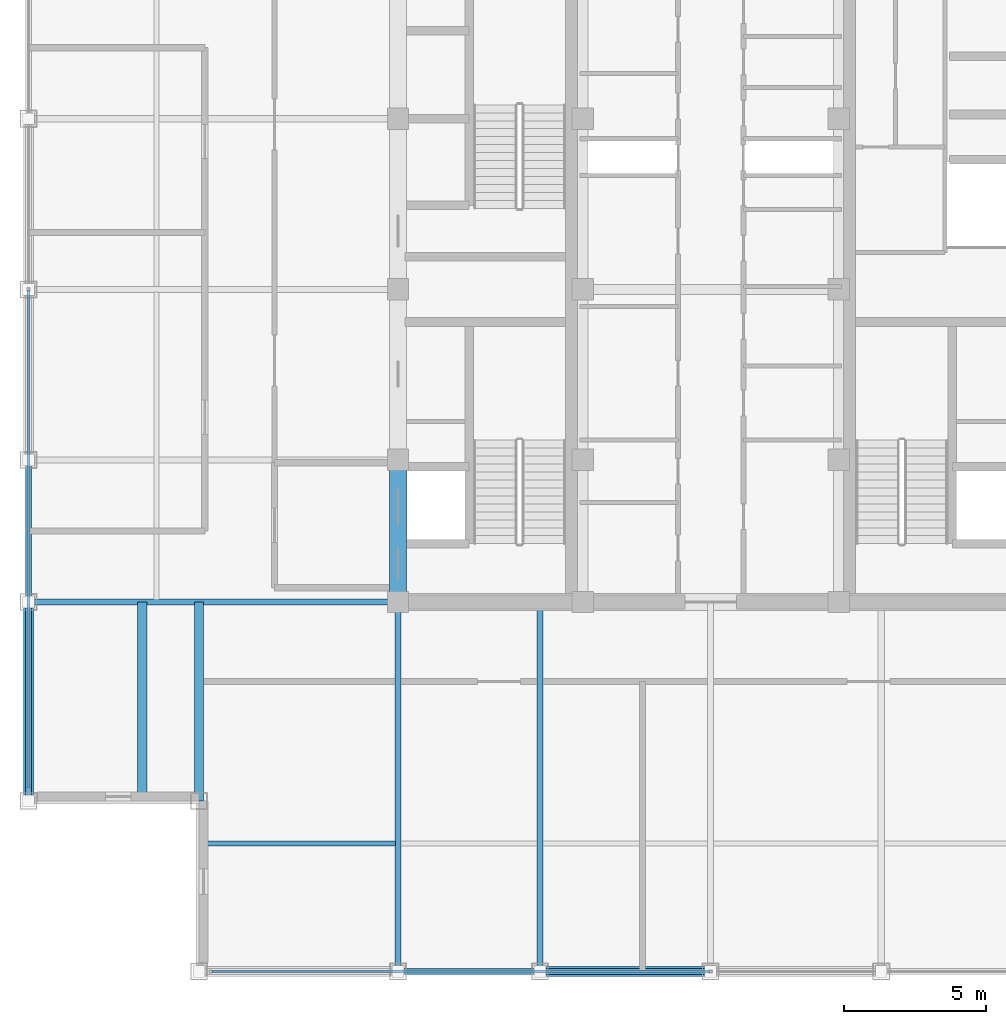
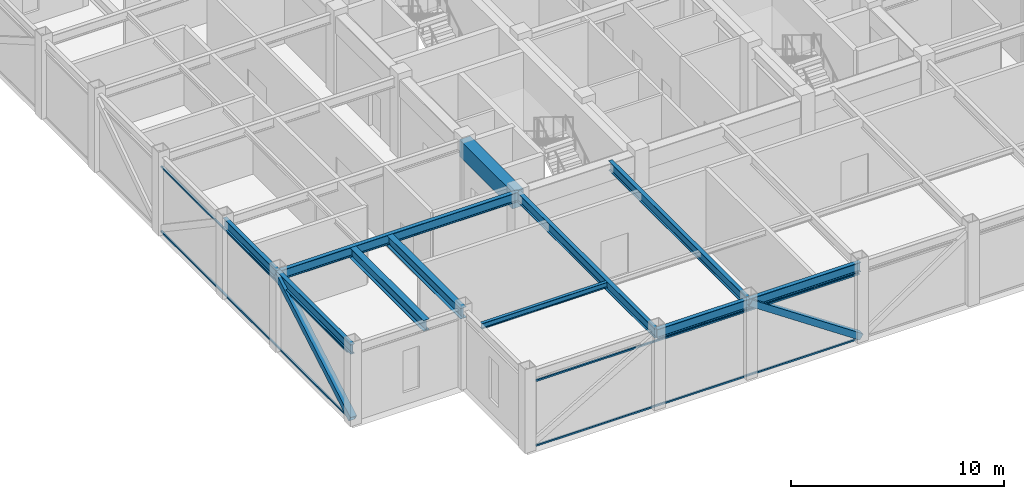
# One storey, part 3 of 27: 11 beams, 6 members, 2 elements without a shape of their own.
"""IFC4 building model written with IfcOpenShell, lengths in metres."""

from ifc_helpers import new_model, si_unit, direction, frame, origin, origin_2d, place, context, subcontext, project, spatial, rectangle, hollow_rectangle, i_section, extrude, source, transform, mapped, material, material_profile, profile_set, type_object, element, aggregate, save


model = new_model("IFC4")

# Units and contexts
model_context = context("Model", 3, precision=1e-05, world=origin(), true_north=direction((0.0, 1.0)))
body_context = subcontext(model_context, "Body", "Model", "MODEL_VIEW")
ifc_project = project(units=[si_unit("LENGTHUNIT", "METRE"), si_unit("AREAUNIT", "SQUARE_METRE"), si_unit("VOLUMEUNIT", "CUBIC_METRE"), si_unit("PLANEANGLEUNIT", "RADIAN"), si_unit("MASSUNIT", "GRAM", prefix="KILO")], contexts=[model_context])

# Site, building, storey
site_placement = place(None, origin())
site = spatial("IfcSite", under=ifc_project, at=site_placement, CompositionType="ELEMENT")
building_placement = place(site_placement, origin())
building = spatial("IfcBuilding", under=site, at=building_placement, Name="Khorayat Bourse Tower", CompositionType="ELEMENT")
storey_placement = place(building_placement, frame((0.0, 0.0, 380.300048828125)))
storey = spatial("IfcBuildingStorey", under=building, at=storey_placement, Name="L90", CompositionType="ELEMENT", Elevation=380.300048828125)

# Beams
ifc_material_1 = material(Name="Concrete C60/75", Category="concrete")
ifc_material_profile_1 = material_profile(ifc_material_1, rectangle(XDim=0.60009765625, YDim=0.949951171875, at=origin_2d()), Name="RC 600x950")
ifc_profile_set_1 = profile_set([ifc_material_profile_1], Name="Concrete C60/75")
beam_type_1 = type_object("IfcBeamType", Name="BM-COUP-950", PredefinedType="BEAM", material=ifc_profile_set_1)
shared_shape_1 = source(origin(), body_context, "Body", "SweptSolid", [
    extrude(rectangle(XDim=0.60009765625, YDim=0.949951171875, at=origin_2d()), origin(), (0.0, 0.0, 1.0), 5.0),
])
beam_1_placement = place(storey_placement, frame((-11.0, -11.0, 3.974853515625), z_axis=(0.0, 1.0, 0.0), x_axis=(-1.0, 0.0, 0.0)))
element("IfcBeam", 1, at=beam_1_placement, inside=storey, type_object=beam_type_1, Name="L90 BM-COUP-950 BM-L90-CRX-01", PredefinedType="BEAM", context=body_context, shape_type="MappedRepresentation", body=[
    mapped(shared_shape_1, transform((0.0, 0.0, 0.0), scale=1.0)),
])
ifc_material_2 = material(Name="Steel ASTM A992 Grade 50", Category="steel")
ifc_material_profile_2 = material_profile(ifc_material_2, i_section(OverallWidth=0.214111328125, OverallDepth=0.549072265625, WebThickness=0.0146484375, FlangeThickness=0.023681640625, FilletRadius=0.013916015625, at=origin_2d()), Name="W530X138")
ifc_profile_set_2 = profile_set([ifc_material_profile_2], Name="Steel ASTM A992 Grade 50")
beam_type_2 = type_object("IfcBeamType", Name="BM-SPAN-530", PredefinedType="SPANDREL", material=ifc_profile_set_2)
shared_shape_2 = source(origin(), body_context, "Body", "SweptSolid", [
    extrude(i_section(OverallWidth=0.214111328125, OverallDepth=0.549072265625, WebThickness=0.0146484375, FlangeThickness=0.023681640625, FilletRadius=0.013916015625, at=origin_2d()), origin(), (0.0, 0.0, 1.0), 5.0),
])
for number, where, z_axis, x_axis, name in (
    (2, (-11.0, -24.0, 4.175537109375), (1.0, 0.0, 0.0), (0.0, 1.0, 0.0), "L90 BM-SPAN-530 BM-L90-SPN-025"),
    (3, (-24.0, -11.0, 4.175537109375), (0.0, 1.0, 0.0), (-1.0, 0.0, 0.0), "L90 BM-SPAN-530 BM-L90-SPN-052"),
):
    element("IfcBeam", number, at=place(storey_placement, frame(where, z_axis=z_axis, x_axis=x_axis)), inside=storey, type_object=beam_type_2, Name=name, PredefinedType="SPANDREL", context=body_context, shape_type="MappedRepresentation", body=[
        mapped(shared_shape_2, transform((0.0, 0.0, 0.0), scale=1.0)),
    ])
shared_shape_3 = source(origin(), body_context, "Body", "SweptSolid", [
    extrude(i_section(OverallWidth=0.214111328125, OverallDepth=0.549072265625, WebThickness=0.0146484375, FlangeThickness=0.023681640625, FilletRadius=0.013916015625, at=origin_2d()), origin(), (0.0, 0.0, 1.0), 6.0),
])
beam_2_placement = place(storey_placement, frame((-6.0, -24.0, 4.175537109375), z_axis=(1.0, 0.0, 0.0), x_axis=(0.0, 1.0, 0.0)))
element("IfcBeam", 4, at=beam_2_placement, inside=storey, type_object=beam_type_2, Name="L90 BM-SPAN-530 BM-L90-SPN-026", PredefinedType="SPANDREL", context=body_context, shape_type="MappedRepresentation", body=[
    mapped(shared_shape_3, transform((0.0, 0.0, 0.0), scale=1.0)),
])
shared_shape_4 = source(origin(), body_context, "Body", "SweptSolid", [
    extrude(i_section(OverallWidth=0.214111328125, OverallDepth=0.549072265625, WebThickness=0.0146484375, FlangeThickness=0.023681640625, FilletRadius=0.013916015625, at=origin_2d()), origin(), (0.0, 0.0, 1.0), 7.0),
])
beam_3_placement = place(storey_placement, frame((-24.0, -18.0, 4.175537109375), z_axis=(0.0, 1.0, 0.0), x_axis=(-1.0, 0.0, 0.0)))
element("IfcBeam", 5, at=beam_3_placement, inside=storey, type_object=beam_type_2, Name="L90 BM-SPAN-530 BM-L90-SPN-053", PredefinedType="SPANDREL", context=body_context, shape_type="MappedRepresentation", body=[
    mapped(shared_shape_4, transform((0.0, 0.0, 0.0), scale=1.0)),
])
ifc_material_profile_3 = material_profile(ifc_material_2, i_section(OverallWidth=0.214111328125, OverallDepth=0.549072265625, WebThickness=0.0146484375, FlangeThickness=0.023681640625, FilletRadius=0.013916015625, at=origin_2d()), Name="W530X138")
ifc_profile_set_3 = profile_set([ifc_material_profile_3], Name="Steel ASTM A992 Grade 50")
beam_type_3 = type_object("IfcBeamType", Name="BM-GIRD-530", PredefinedType="BEAM", material=ifc_profile_set_3)
shared_shape_5 = source(origin(), body_context, "Body", "SweptSolid", [
    extrude(i_section(OverallWidth=0.214111328125, OverallDepth=0.549072265625, WebThickness=0.0146484375, FlangeThickness=0.023681640625, FilletRadius=0.013916015625, at=origin_2d()), origin(), (0.0, 0.0, 1.0), 13.0),
])
for number, where, z_axis, x_axis, name in (
    (6, (-11.0, -24.0, 4.175537109375), (0.0, 1.0, 0.0), (-1.0, 0.0, 0.0), "L90 BM-GIRD-530 BM-L90-RADY-057"),
    (7, (-6.0, -24.0, 4.175537109375), (0.0, 1.0, 0.0), (-1.0, 0.0, 0.0), "L90 BM-GIRD-530 BM-L90-RADY-059"),
    (8, (-24.0, -11.0, 4.175537109375), (1.0, 0.0, 0.0), (0.0, 1.0, 0.0), "L90 BM-GIRD-530 BM-L90-RADX-067"),
):
    element("IfcBeam", number, at=place(storey_placement, frame(where, z_axis=z_axis, x_axis=x_axis)), inside=storey, type_object=beam_type_3, Name=name, PredefinedType="BEAM", context=body_context, shape_type="MappedRepresentation", body=[
        mapped(shared_shape_5, transform((0.0, 0.0, 0.0), scale=1.0)),
    ])
ifc_material_profile_4 = material_profile(ifc_material_2, i_section(OverallWidth=0.324951171875, OverallDepth=0.615966796875, WebThickness=0.013916015625, FlangeThickness=0.021484375, FilletRadius=0.01611328125, at=origin_2d()), Name="W610X174")
ifc_profile_set_4 = profile_set([ifc_material_profile_4], Name="Steel ASTM A992 Grade 50")
beam_type_4 = type_object("IfcBeamType", Name="BM-GIRD-610", PredefinedType="BEAM", material=ifc_profile_set_4)
shared_shape_6 = source(origin(), body_context, "Body", "SweptSolid", [
    extrude(i_section(OverallWidth=0.324951171875, OverallDepth=0.615966796875, WebThickness=0.013916015625, FlangeThickness=0.021484375, FilletRadius=0.01611328125, at=origin_2d()), origin(), (0.0, 0.0, 1.0), 7.0),
])
for number, where, z_axis, x_axis, name in (
    (9, (-18.0, -18.0, 4.141845703125), (0.0, 1.0, 0.0), (-1.0, 0.0, 0.0), "L90 BM-GIRD-610 BM-L90-CNRY-076"),
    (10, (-20.0, -18.0, 4.141845703125), (0.0, 1.0, 0.0), (-1.0, 0.0, 0.0), "L90 BM-GIRD-610 BM-L90-CNRY-080"),
):
    element("IfcBeam", number, at=place(storey_placement, frame(where, z_axis=z_axis, x_axis=x_axis)), inside=storey, type_object=beam_type_4, Name=name, PredefinedType="BEAM", context=body_context, shape_type="MappedRepresentation", body=[
        mapped(shared_shape_6, transform((0.0, 0.0, 0.0), scale=1.0)),
    ])
ifc_material_profile_5 = material_profile(ifc_material_2, i_section(OverallWidth=0.1669921875, OverallDepth=0.31689453125, WebThickness=0.007568359375, FlangeThickness=0.01318359375, FilletRadius=0.010009765625, at=origin_2d()), Name="W310X52")
ifc_profile_set_5 = profile_set([ifc_material_profile_5], Name="Steel ASTM A992 Grade 50")
beam_type_5 = type_object("IfcBeamType", Name="BM-JOIST-310", PredefinedType="JOIST", material=ifc_profile_set_5)
shared_shape_7 = source(origin(), body_context, "Body", "SweptSolid", [
    extrude(i_section(OverallWidth=0.1669921875, OverallDepth=0.31689453125, WebThickness=0.007568359375, FlangeThickness=0.01318359375, FilletRadius=0.010009765625, at=origin_2d()), origin(), (0.0, 0.0, 1.0), 6.81005859375),
])
beam_4_placement = place(storey_placement, frame((-17.905029296875, -19.5, 4.29150390625), z_axis=(1.0, 0.0, 0.0), x_axis=(0.0, 1.0, 0.0)))
element("IfcBeam", 11, at=beam_4_placement, inside=storey, type_object=beam_type_5, Name="L90 BM-JOIST-310 BM-L90-JSTX-084", PredefinedType="JOIST", context=body_context, shape_type="MappedRepresentation", body=[
    mapped(shared_shape_7, transform((0.0, 0.0, 0.0), scale=1.0)),
])

# Members
ifc_material_3 = material(Name="Steel EN 10025-2 S355J2", Category="steel")
ifc_material_profile_6 = material_profile(ifc_material_3, hollow_rectangle(XDim=0.35009765625, YDim=0.35009765625, WallThickness=0.02001953125, at=origin_2d()), Name="HSS 350x350x20")
ifc_profile_set_6 = profile_set([ifc_material_profile_6], Name="Steel EN 10025-2 S355J2")
member_type_1 = type_object("IfcMemberType", Name="MBR-CROWN-350", PredefinedType="USERDEFINED", material=ifc_profile_set_6)
shared_shape_8 = source(origin(), body_context, "Body", "SweptSolid", [
    extrude(hollow_rectangle(XDim=0.35009765625, YDim=0.35009765625, WallThickness=0.02001953125, at=origin_2d()), origin(), (0.0, 0.0, 1.0), 8.087158203125),
])
member_1_placement = place(storey_placement, frame((-24.0, -18.0, 0.199951171875), z_axis=(0.0, 0.865564731219, 0.500797060763), x_axis=(-1.0, 0.0, 0.0)))
element("IfcMember", 12, at=member_1_placement, inside=storey, type_object=member_type_1, Name="L90 Lantern Crown Frame Member 09", ObjectType="CROWN FRAME", PredefinedType="USERDEFINED", context=body_context, shape_type="MappedRepresentation", body=[
    mapped(shared_shape_8, transform((0.0, 0.0, 0.0), scale=1.0)),
])
shared_shape_9 = source(origin(), body_context, "Body", "SweptSolid", [
    extrude(hollow_rectangle(XDim=0.35009765625, YDim=0.35009765625, WallThickness=0.02001953125, at=origin_2d()), origin(), (0.0, 0.0, 1.0), 7.239013671875),
])
member_2_placement = place(storey_placement, frame((-6.0, -24.0, 4.25), z_axis=(0.828845546207, 0.0, -0.559477488852), x_axis=(0.0, 1.0, 0.0)))
element("IfcMember", 13, at=member_2_placement, inside=storey, type_object=member_type_1, Name="L90 Lantern Crown Frame Member 02", ObjectType="CROWN FRAME", PredefinedType="USERDEFINED", context=body_context, shape_type="MappedRepresentation", body=[
    mapped(shared_shape_9, transform((0.0, 0.0, 0.0), scale=1.0)),
])

# Curtain wall, members
ifc_material_4 = material(Name="Aluminium EN AW-6063 T6", Category="aluminium")
curtain_wall_type = type_object("IfcCurtainWallType", Name="CW-SYS-07", PredefinedType="NOTDEFINED", material=ifc_material_4)
curtain_wall_1_placement = place(storey_placement, origin())
curtain_wall_1 = element("IfcCurtainWall", 14, at=curtain_wall_1_placement, inside=storey, type_object=curtain_wall_type, Name="L90 Curtain Wall CW-L90-S1", PredefinedType="NOTDEFINED")
ifc_material_profile_7 = material_profile(ifc_material_4, hollow_rectangle(XDim=0.090087890625, YDim=0.090087890625, WallThickness=0.00390625, at=origin_2d()), Name="ALU 90x90x4")
ifc_profile_set_7 = profile_set([ifc_material_profile_7], Name="Aluminium EN AW-6063 T6")
member_type_2 = type_object("IfcMemberType", Name="CWT-HORZ-90", PredefinedType="USERDEFINED", material=ifc_profile_set_7)
shared_shape_10 = source(origin(), body_context, "Body", "SweptSolid", [
    extrude(hollow_rectangle(XDim=0.090087890625, YDim=0.090087890625, WallThickness=0.00390625, at=origin_2d()), origin(), (0.0, 0.0, 1.0), 17.5),
])
member_3_placement = place(storey_placement, frame((-17.550048828125, -24.0, 0.044921875), z_axis=(1.0, 0.0, 0.0), x_axis=(0.0, 1.0, 0.0)))
member_3 = element("IfcMember", 15, at=member_3_placement, type_object=member_type_2, Name="CW-L90-S1 Horizontal Transom 1-1", ObjectType="TRANSOM", PredefinedType="USERDEFINED", context=body_context, shape_type="MappedRepresentation", body=[
    mapped(shared_shape_10, transform((0.0, 0.0, 0.0), scale=1.0)),
])
member_4_placement = place(storey_placement, frame((-17.550048828125, -24.0, 3.7548828125), z_axis=(1.0, 0.0, 0.0), x_axis=(0.0, 1.0, 0.0)))
member_4 = element("IfcMember", 16, at=member_4_placement, type_object=member_type_2, Name="CW-L90-S1 Horizontal Transom 1-2", ObjectType="TRANSOM", PredefinedType="USERDEFINED", context=body_context, shape_type="MappedRepresentation", body=[
    mapped(shared_shape_10, transform((0.0, 0.0, 0.0), scale=1.0)),
])
aggregate(curtain_wall_1, [member_3, member_4])

curtain_wall_2_placement = place(storey_placement, origin())
curtain_wall_2 = element("IfcCurtainWall", 17, at=curtain_wall_2_placement, inside=storey, type_object=curtain_wall_type, Name="L90 Curtain Wall CW-L90-W1", PredefinedType="NOTDEFINED")
member_5_placement = place(storey_placement, frame((-24.0, -17.550048828125, 0.044921875), z_axis=(0.0, 1.0, 0.0), x_axis=(-1.0, 0.0, 0.0)))
member_5 = element("IfcMember", 18, at=member_5_placement, type_object=member_type_2, Name="CW-L90-W1 Horizontal Transom 1-1", ObjectType="TRANSOM", PredefinedType="USERDEFINED", context=body_context, shape_type="MappedRepresentation", body=[
    mapped(shared_shape_10, transform((0.0, 0.0, 0.0), scale=1.0)),
])
member_6_placement = place(storey_placement, frame((-24.0, -17.550048828125, 3.7548828125), z_axis=(0.0, 1.0, 0.0), x_axis=(-1.0, 0.0, 0.0)))
member_6 = element("IfcMember", 19, at=member_6_placement, type_object=member_type_2, Name="CW-L90-W1 Horizontal Transom 1-2", ObjectType="TRANSOM", PredefinedType="USERDEFINED", context=body_context, shape_type="MappedRepresentation", body=[
    mapped(shared_shape_10, transform((0.0, 0.0, 0.0), scale=1.0)),
])
aggregate(curtain_wall_2, [member_5, member_6])

save(model, "model.ifc")
